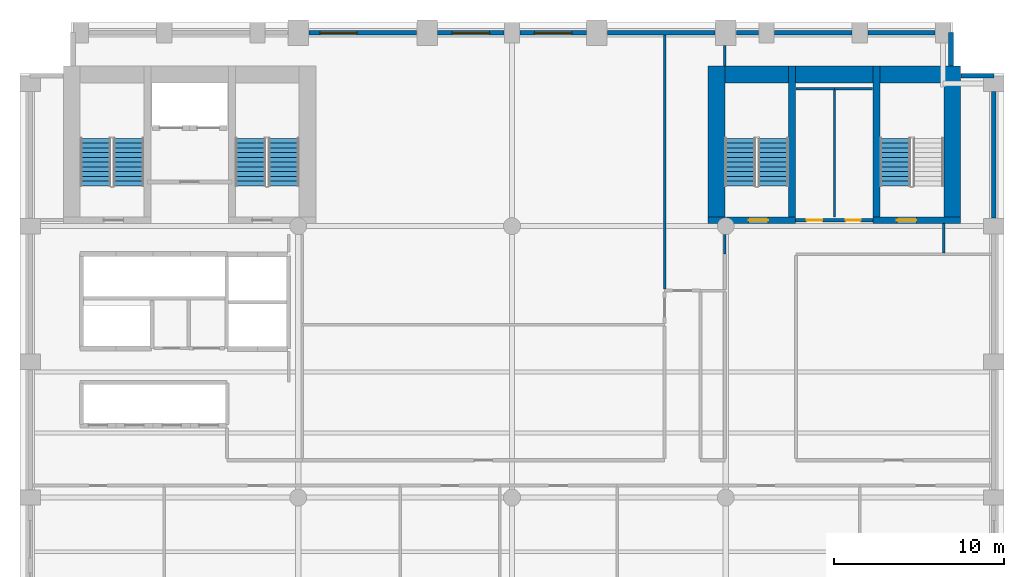
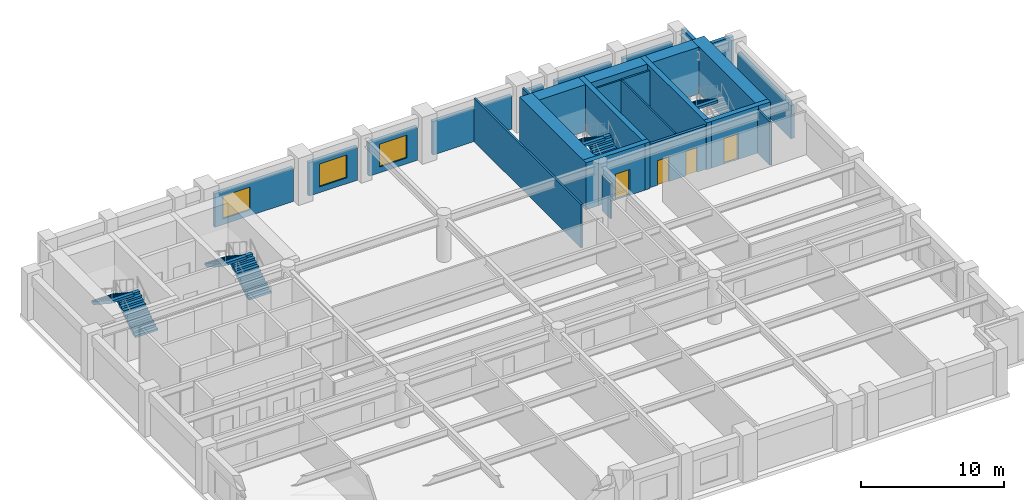
# One storey, part 5 of 9: 25 walls, 7 stair flights, 4 doors, 3 windows, 7 openings, 4 elements without a shape of their own.
"""IFC4 building model written with IfcOpenShell, lengths in metres."""

import ifcopenshell
import ifcopenshell.guid

model = None  # the IFC model being written
_history = None  # IfcOwnerHistory: only IFC2X3 demands one
_inside = {}  # id of a spatial element -> (the spatial element, [elements in it])
_under = {}  # id of a project, library or spatial element -> (it, [spatial elements below it])
_declared = {}  # id of a project -> (the project, [libraries it declares])
_typed = {}  # id of a type object -> (the type object, [elements of that type])
_made_of = {}  # id of a material, layer set ... -> (it, [elements and type objects made of it])


def new_model(schema):
    """Start an empty IFC model of exactly this schema.

    Asked for "IFC4X3", IfcOpenShell would pick the latest addendum, in which some entities
    have other attributes; the version numbers below select the first issue.
    IFC2X3 requires an IfcOwnerHistory on every rooted entity: one is made here for all.
    """
    global model, _history
    if schema == "IFC4X3":
        model = ifcopenshell.file(schema_version=(4, 3, 0, 0))
    else:
        model = ifcopenshell.file(schema=schema)
    _inside.clear()
    _under.clear()
    _declared.clear()
    _typed.clear()
    _made_of.clear()
    _history = None
    if model.schema == "IFC2X3":
        org = make("IfcOrganization", Name="unknown")
        user = make(
            "IfcPersonAndOrganization",
            ThePerson=make("IfcPerson", FamilyName="unknown"),
            TheOrganization=org,
        )
        app = make(
            "IfcApplication",
            ApplicationDeveloper=org,
            Version="unknown",
            ApplicationFullName="unknown",
            ApplicationIdentifier="unknown",
        )
        _history = make(
            "IfcOwnerHistory",
            OwningUser=user,
            OwningApplication=app,
            ChangeAction="ADDED",
            CreationDate=0,
        )
    return model


def make(cls, **values):
    """One entity of the class cls with the attributes given. An attribute that is None is left unset."""
    return model.create_entity(
        cls, **{name: value for name, value in values.items() if value is not None}
    )


def rooted(cls, **values):
    """An entity with a GlobalId (a new one), such as an element, a storey or a relation."""
    return make(cls, GlobalId=ifcopenshell.guid.new(), OwnerHistory=_history, **values)


def si_unit(unit_type, name, prefix=None):
    """IfcSIUnit, for example si_unit("LENGTHUNIT", "METRE", prefix="MILLI")."""
    return make("IfcSIUnit", UnitType=unit_type, Prefix=prefix, Name=name)


def assignment(units):
    """IfcUnitAssignment: the units of a project."""
    return None if units is None else make("IfcUnitAssignment", Units=units)


def point(xyz):
    """IfcCartesianPoint."""
    return None if xyz is None else make("IfcCartesianPoint", Coordinates=xyz)


def direction(xyz):
    """IfcDirection."""
    return None if xyz is None else make("IfcDirection", DirectionRatios=xyz)


def frame(location, z_axis=None, x_axis=None):
    """IfcAxis2Placement3D, a coordinate frame: its origin and axes. An axis left out is left unset."""
    return make(
        "IfcAxis2Placement3D",
        Location=point(location),
        Axis=direction(z_axis),
        RefDirection=direction(x_axis),
    )


def frame_2d(location, x_axis=None):
    """IfcAxis2Placement2D, a coordinate frame in the plane: its origin and x axis."""
    return make(
        "IfcAxis2Placement2D", Location=point(location), RefDirection=direction(x_axis)
    )


def origin():
    """The frame at (0, 0, 0) with its axes left unset."""
    return frame((0.0, 0.0, 0.0))


def place(relative_to, where):
    """IfcLocalPlacement: puts the frame where relative to a parent placement (None: the world)."""
    return make(
        "IfcLocalPlacement", PlacementRelTo=relative_to, RelativePlacement=where
    )


def context(
    kind, dimensions, precision=None, world=None, true_north=None, identifier=None
):
    """IfcGeometricRepresentationContext, for example the 3D "Model" context."""
    return make(
        "IfcGeometricRepresentationContext",
        ContextIdentifier=identifier,
        ContextType=kind,
        CoordinateSpaceDimension=dimensions,
        Precision=precision,
        WorldCoordinateSystem=world,
        TrueNorth=true_north,
    )


def subcontext(parent, identifier, kind, view, scale=None):
    """IfcGeometricRepresentationSubContext, for example "Body" below "Model"."""
    return make(
        "IfcGeometricRepresentationSubContext",
        ContextIdentifier=identifier,
        ContextType=kind,
        ParentContext=parent,
        TargetScale=scale,
        TargetView=view,
    )


def project(units=None, contexts=None):
    """IfcProject with its units and contexts."""
    return rooted(
        "IfcProject",
        Name="project",
        RepresentationContexts=contexts,
        UnitsInContext=assignment(units),
    )


def spatial(cls, under=None, at=None, **own):
    """A site, building, storey or space (cls), placed at a placement, below another one or the project."""
    s = rooted(cls, ObjectPlacement=at, **own)
    if under is not None:
        _under.setdefault(under.id(), (under, []))[1].append(s)
    return s


def polyline(points):
    """IfcPolyline through the points."""
    return make("IfcPolyline", Points=[point(p) for p in points])


def profile(cls, at=None, kind="AREA", **sizes):
    """A parametric profile (cls). Its sizes go by their IFC names, for example OverallWidth=200.0."""
    return make(cls, ProfileType=kind, Position=at, **sizes)


def rectangle(**sizes):
    """IfcRectangleProfileDef."""
    return profile("IfcRectangleProfileDef", **sizes)


def outline(outer, holes=None, kind="AREA"):
    """IfcArbitraryClosedProfileDef: a profile drawn as a closed curve; with holes, ...WithVoids."""
    if holes is None:
        return make("IfcArbitraryClosedProfileDef", ProfileType=kind, OuterCurve=outer)
    return make(
        "IfcArbitraryProfileDefWithVoids",
        ProfileType=kind,
        OuterCurve=outer,
        InnerCurves=holes,
    )


def extrude(swept, where, along, depth):
    """IfcExtrudedAreaSolid: the profile swept, set in the frame where, extruded along a direction by depth."""
    return make(
        "IfcExtrudedAreaSolid",
        SweptArea=swept,
        Position=where,
        ExtrudedDirection=direction(along),
        Depth=depth,
    )


def shape(context_of_items, identifier, shape_type, items):
    """IfcShapeRepresentation: the items that make up one representation, for example the "Body"."""
    return make(
        "IfcShapeRepresentation",
        ContextOfItems=context_of_items,
        RepresentationIdentifier=identifier,
        RepresentationType=shape_type,
        Items=items,
    )


def material(Name=None, Category=None):
    """IfcMaterial."""
    return make("IfcMaterial", Name=Name, Category=Category)


def layer(
    of_material, thickness, ventilated=None, Name=None, Category=None, Priority=None
):
    """IfcMaterialLayer: one layer of a wall or slab, of a material (None: an air gap)."""
    return make(
        "IfcMaterialLayer",
        Material=of_material,
        LayerThickness=thickness,
        IsVentilated=ventilated,
        Name=Name,
        Category=Category,
        Priority=Priority,
    )


def layer_set(layers, Name=None):
    """IfcMaterialLayerSet."""
    return make("IfcMaterialLayerSet", MaterialLayers=layers, LayerSetName=Name)


def made_of(thing, what):
    """Note that an element or type object is made of a material, layer set ...; save() writes the relation."""
    if what is not None:
        _made_of.setdefault(what.id(), (what, []))[1].append(thing)
    return thing


def type_object(cls, material=None, **own):
    """A type object (cls), such as IfcWallType, which elements share."""
    return made_of(rooted(cls, **own), material)


def element(
    cls,
    number,
    at=None,
    inside=None,
    cuts=None,
    type_object=None,
    material=None,
    context=None,
    identifier="Body",
    shape_type=None,
    held_by="IfcProductDefinitionShape",
    body=None,
    shapes=None,
    **own,
):
    """One element of the class cls, such as IfcWall. Its Tag is "e" and its number.

    at: its placement. inside: the storey or other place that contains it. cuts: it is an
    opening in that element (IfcRelVoidsElement). A single representation is given by context,
    identifier, shape_type and body (its items); several are given by shapes. held_by: the class
    of the entity that holds the representations. save() writes the other relations.
    """
    e = rooted(cls, Tag="e%d" % number, ObjectPlacement=at, **own)
    if body is not None:
        shapes = [shape(context, identifier, shape_type, body)]
    if shapes is not None:
        e.Representation = make(held_by, Representations=shapes)
    if inside is not None:
        _inside.setdefault(inside.id(), (inside, []))[1].append(e)
    if cuts is not None:
        rooted(
            "IfcRelVoidsElement", RelatingBuildingElement=cuts, RelatedOpeningElement=e
        )
    if type_object is not None:
        _typed.setdefault(type_object.id(), (type_object, []))[1].append(e)
    return made_of(e, material)


def fill(opening, filler):
    """IfcRelFillsElement: the door or window that sits in an opening."""
    return rooted(
        "IfcRelFillsElement",
        RelatingOpeningElement=opening,
        RelatedBuildingElement=filler,
    )


def aggregate(whole, parts):
    """IfcRelAggregates: a whole, such as a stair, and the parts it consists of."""
    return rooted("IfcRelAggregates", RelatingObject=whole, RelatedObjects=parts)


def save(model, path):
    """Write the relations noted so far, then the file.

    IfcRelAggregates (storeys below a building ...), IfcRelContainedInSpatialStructure (elements
    in a storey), IfcRelDefinesByType, IfcRelAssociatesMaterial and IfcRelDeclares: one each for
    every whole, place, type object, material and project.
    """
    for whole, parts in _under.values():
        aggregate(whole, parts)
    for where, things in _inside.values():
        rooted(
            "IfcRelContainedInSpatialStructure",
            RelatedElements=things,
            RelatingStructure=where,
        )
    for kind, things in _typed.values():
        rooted("IfcRelDefinesByType", RelatedObjects=things, RelatingType=kind)
    for what, things in _made_of.values():
        rooted("IfcRelAssociatesMaterial", RelatedObjects=things, RelatingMaterial=what)
    for by, libraries in _declared.values():
        rooted("IfcRelDeclares", RelatingContext=by, RelatedDefinitions=libraries)
    model.write(path)


model = new_model("IFC4")

# Units and contexts
model_context = context("Model", 3, precision=1e-05, world=origin(), true_north=direction((0.0, 1.0)))
body_context = subcontext(model_context, "Body", "Model", "MODEL_VIEW")
ifc_project = project(units=[si_unit("LENGTHUNIT", "METRE"), si_unit("AREAUNIT", "SQUARE_METRE"), si_unit("VOLUMEUNIT", "CUBIC_METRE"), si_unit("PLANEANGLEUNIT", "RADIAN"), si_unit("MASSUNIT", "GRAM", prefix="KILO")], contexts=[model_context])

# Site, building, storey
site_placement = place(None, origin())
site = spatial("IfcSite", under=ifc_project, at=site_placement, CompositionType="ELEMENT")
building_placement = place(site_placement, origin())
building = spatial("IfcBuilding", under=site, at=building_placement, Name="Sulina Concourse Tower", CompositionType="ELEMENT")
storey_placement = place(building_placement, frame((0.0, 0.0, 66.60009765625)))
storey = spatial("IfcBuildingStorey", under=building, at=storey_placement, Name="L16", CompositionType="ELEMENT", Elevation=66.60009765625)

# Wall, openings, doors
ifc_material_1 = material(Name="Gypsum board on steel stud", Category="steel")
ifc_layer_1 = layer(ifc_material_1, 0.219970703125)
ifc_layer_set_1 = layer_set([ifc_layer_1], Name="Gypsum board on steel stud")
wall_type_1 = type_object("IfcWallType", Name="Fire-Rated Lobby & Compartment Wall 220mm", PredefinedType="PARTITIONING", material=ifc_layer_set_1)
wall_1_placement = place(storey_placement, frame((45.719970703125, 34.35009765625, 0.0), z_axis=(0.0, 0.0, 1.0), x_axis=(1.0, 0.0, 0.0)))
wall_1 = element("IfcWall", 1, at=wall_1_placement, inside=storey, type_object=wall_type_1, Name="L16 east core south lobby wall", PredefinedType="PARTITIONING", context=body_context, shape_type="SweptSolid", body=[
    extrude(rectangle(XDim=4.56005859375, YDim=0.219970703125, at=frame_2d((2.280029296875, 0.0))), origin(), (0.0, 0.0, 1.0), 3.699951171875),
])
opening_1_placement = place(wall_1_placement, frame((0.64990234375, 0.0, 0.0)))
opening_1 = element("IfcOpeningElement", 2, at=opening_1_placement, cuts=wall_1, Name="Opening DR-61", PredefinedType="OPENING", context=body_context, shape_type="SweptSolid", body=[
    extrude(rectangle(XDim=0.919921875, YDim=2.10009765625, at=frame_2d((0.4599609375, 1.050048828125))), frame((0.0, 0.119873046875, 0.0), z_axis=(0.0, -1.0, 0.0), x_axis=(1.0, 0.0, 0.0)), (0.0, 0.0, 1.0), 0.239990234375),
])
opening_2_placement = place(wall_1_placement, frame((2.949951171875, 0.0, 0.0)))
opening_2 = element("IfcOpeningElement", 3, at=opening_2_placement, cuts=wall_1, Name="Opening DR-38", PredefinedType="OPENING", context=body_context, shape_type="SweptSolid", body=[
    extrude(rectangle(XDim=0.8798828125, YDim=2.10009765625, at=frame_2d((0.43994140625, 1.050048828125))), frame((0.0, 0.119873046875, 0.0), z_axis=(0.0, -1.0, 0.0), x_axis=(1.0, 0.0, 0.0)), (0.0, 0.0, 1.0), 0.239990234375),
])
ifc_material_2 = material(Name="Oak-veneered fire door leaf")
ifc_layer_2 = layer(ifc_material_2, 0.050048828125)
ifc_layer_set_2 = layer_set([ifc_layer_2], Name="Oak-veneered fire door leaf")
door_type_1 = type_object("IfcDoorType", Name="Accessible WC Door 920x2100", OperationType="NOTDEFINED", PredefinedType="DOOR", material=ifc_layer_set_2)
door_1_placement = place(opening_1_placement, origin())
door_1 = element("IfcDoor", 4, at=door_1_placement, inside=storey, type_object=door_type_1, Name="L16 east core accessible wc door", OperationType="SINGLE_SWING_LEFT", OverallHeight=2.10009765625, OverallWidth=0.919921875, PredefinedType="DOOR", context=body_context, shape_type="SweptSolid", body=[
    extrude(rectangle(XDim=0.919921875, YDim=2.10009765625, at=frame_2d((0.4599609375, 1.050048828125))), frame((0.0, 0.02490234375, 0.0), z_axis=(0.0, -1.0, 0.0), x_axis=(1.0, 0.0, 0.0)), (0.0, 0.0, 1.0), 0.050048828125),
])
fill(opening_1, door_1)
ifc_material_3 = material(Name="Galvanised steel acoustic fire leaf", Category="steel")
ifc_layer_3 = layer(ifc_material_3, 0.050048828125)
ifc_layer_set_3 = layer_set([ifc_layer_3], Name="Galvanised steel acoustic fire leaf")
door_type_2 = type_object("IfcDoorType", Name="Service Riser Fire Door 880x2100", OperationType="NOTDEFINED", PredefinedType="DOOR", material=ifc_layer_set_3)
door_2_placement = place(opening_2_placement, origin())
door_2 = element("IfcDoor", 5, at=door_2_placement, inside=storey, type_object=door_type_2, Name="L16 east core store door", OperationType="SINGLE_SWING_RIGHT", OverallHeight=2.10009765625, OverallWidth=0.8798828125, PredefinedType="DOOR", context=body_context, shape_type="SweptSolid", body=[
    extrude(rectangle(XDim=0.8798828125, YDim=2.10009765625, at=frame_2d((0.43994140625, 1.050048828125))), frame((0.0, 0.02490234375, 0.0), z_axis=(0.0, -1.0, 0.0), x_axis=(1.0, 0.0, 0.0)), (0.0, 0.0, 1.0), 0.050048828125),
])
fill(opening_2, door_2)

# Walls
ifc_material_4 = material(Name="Gypsum board on steel stud", Category="steel")
ifc_layer_4 = layer(ifc_material_4, 0.14990234375)
ifc_layer_set_4 = layer_set([ifc_layer_4], Name="Gypsum board on steel stud")
wall_type_2 = type_object("IfcWallType", Name="Inter-Tenancy Acoustic Partition 150mm", PredefinedType="PARTITIONING", material=ifc_layer_set_4)
wall_2_placement = place(storey_placement, frame((48.0, 42.10009765625, 0.0), z_axis=(0.0, 0.0, 1.0), x_axis=(1.0, 0.0, 0.0)))
element("IfcWall", 6, at=wall_2_placement, inside=storey, type_object=wall_type_2, Name="L16 interior partition 020", PredefinedType="PARTITIONING", context=body_context, shape_type="SweptSolid", body=[
    extrude(rectangle(XDim=2.25, YDim=0.14990234375, at=frame_2d((1.125, 0.0))), origin(), (0.0, 0.0, 1.0), 3.699951171875),
])
wall_3_placement = place(storey_placement, frame((38.0, 30.2900390625, 0.0), z_axis=(0.0, 0.0, 1.0), x_axis=(0.0, 1.0, 0.0)))
element("IfcWall", 7, at=wall_3_placement, inside=storey, type_object=wall_type_2, Name="L16 interior partition 033", PredefinedType="PARTITIONING", context=body_context, shape_type="SweptSolid", body=[
    extrude(rectangle(XDim=14.969970703125, YDim=0.14990234375, at=frame_2d((7.48486328125, 0.0))), origin(), (0.0, 0.0, 1.0), 3.699951171875),
])
wall_4_placement = place(storey_placement, frame((41.550048828125, 32.35009765625, 0.0), z_axis=(0.0, 0.0, 1.0), x_axis=(0.0, 1.0, 0.0)))
element("IfcWall", 8, at=wall_4_placement, inside=storey, type_object=wall_type_2, Name="L16 interior partition 037", PredefinedType="PARTITIONING", context=body_context, shape_type="SweptSolid", body=[
    extrude(rectangle(XDim=1.14990234375, YDim=0.14990234375, at=frame_2d((0.574951171875, 0.0))), origin(), (0.0, 0.0, 1.0), 2.994873046875),
])
wall_5_placement = place(storey_placement, frame((41.550048828125, 43.429931640625, 0.0), z_axis=(0.0, 0.0, 1.0), x_axis=(0.0, 1.0, 0.0)))
element("IfcWall", 9, at=wall_5_placement, inside=storey, type_object=wall_type_2, Name="L16 interior partition 038", PredefinedType="PARTITIONING", context=body_context, shape_type="SweptSolid", body=[
    extrude(rectangle(XDim=1.219970703125, YDim=0.14990234375, at=frame_2d((0.60986328125, 0.0))), origin(), (0.0, 0.0, 1.0), 3.699951171875),
])
wall_6_placement = place(storey_placement, frame((54.449951171875, 32.425048828125, 0.0), z_axis=(0.0, 0.0, 1.0), x_axis=(0.0, 1.0, 0.0)))
element("IfcWall", 10, at=wall_6_placement, inside=storey, type_object=wall_type_2, Name="L16 interior partition 042", PredefinedType="PARTITIONING", context=body_context, shape_type="SweptSolid", body=[
    extrude(rectangle(XDim=1.724853515625, YDim=0.14990234375, at=frame_2d((0.8623046875, 0.0))), origin(), (0.0, 0.0, 1.0), 3.699951171875),
])

# Wall, opening, door
ifc_material_5 = material(Name="Concrete C60/75", Category="concrete")
ifc_layer_5 = layer(ifc_material_5, 0.39990234375)
ifc_layer_set_5 = layer_set([ifc_layer_5], Name="Concrete C60/75")
wall_type_3 = type_object("IfcWallType", Name="Protected Stair Core Shear Wall 400mm", PredefinedType="SHEAR", material=ifc_layer_set_5)
wall_7_placement = place(storey_placement, frame((40.550048828125, 34.35009765625, 0.0), z_axis=(0.0, 0.0, 1.0), x_axis=(1.0, 0.0, 0.0)))
wall_7 = element("IfcWall", 11, at=wall_7_placement, inside=storey, type_object=wall_type_3, Name="L16 east core shear wall CW-ES1", PredefinedType="SHEAR", context=body_context, shape_type="SweptSolid", body=[
    extrude(rectangle(XDim=5.159912109375, YDim=0.39990234375, at=frame_2d((2.580078125, 0.0))), origin(), (0.0, 0.0, 1.0), 4.0),
])
opening_3_placement = place(wall_7_placement, frame((2.39990234375, 0.0, 0.0)))
opening_3 = element("IfcOpeningElement", 12, at=opening_3_placement, cuts=wall_7, Name="Opening DR-60", PredefinedType="OPENING", context=body_context, shape_type="SweptSolid", body=[
    extrude(rectangle(XDim=1.14990234375, YDim=2.199951171875, at=frame_2d((0.574951171875, 1.10009765625))), frame((0.0, 0.2099609375, 0.0), z_axis=(0.0, -1.0, 0.0), x_axis=(1.0, 0.0, 0.0)), (0.0, 0.0, 1.0), 0.419921875),
])
ifc_material_6 = material(Name="Galvanised steel acoustic fire leaf", Category="steel")
ifc_layer_6 = layer(ifc_material_6, 0.054931640625)
ifc_layer_set_6 = layer_set([ifc_layer_6], Name="Galvanised steel acoustic fire leaf")
door_type_3 = type_object("IfcDoorType", Name="Protected Exit Stair Fire Door 1150x2200", OperationType="NOTDEFINED", PredefinedType="DOOR", material=ifc_layer_set_6)
door_3_placement = place(opening_3_placement, origin())
door_3 = element("IfcDoor", 13, at=door_3_placement, inside=storey, type_object=door_type_3, Name="L16 stair ST-3 south lobby fire door", OperationType="SINGLE_SWING_RIGHT", OverallHeight=2.199951171875, OverallWidth=1.14990234375, PredefinedType="DOOR", context=body_context, shape_type="SweptSolid", body=[
    extrude(rectangle(XDim=1.14990234375, YDim=2.199951171875, at=frame_2d((0.574951171875, 1.10009765625))), frame((0.0, 0.02490234375, 0.0), z_axis=(0.0, -1.0, 0.0), x_axis=(1.0, 0.0, 0.0)), (0.0, 0.0, 1.0), 0.050048828125),
])
fill(opening_3, door_3)

# Wall
wall_8_placement = place(storey_placement, frame((45.510009765625, 34.14990234375, 0.0), z_axis=(0.0, 0.0, 1.0), x_axis=(0.0, 1.0, 0.0)))
element("IfcWall", 14, at=wall_8_placement, inside=storey, type_object=wall_type_3, Name="L16 east core shear wall SW-ST3", PredefinedType="SHEAR", context=body_context, shape_type="SweptSolid", body=[
    extrude(rectangle(XDim=9.280029296875, YDim=0.39990234375, at=frame_2d((4.64013671875, 0.0))), origin(), (0.0, 0.0, 1.0), 4.0),
])

# Wall, opening, door
wall_9_placement = place(storey_placement, frame((50.2900390625, 34.35009765625, 0.0), z_axis=(0.0, 0.0, 1.0), x_axis=(1.0, 0.0, 0.0)))
wall_9 = element("IfcWall", 15, at=wall_9_placement, inside=storey, type_object=wall_type_3, Name="L16 east core shear wall CW-ES2", PredefinedType="SHEAR", context=body_context, shape_type="SweptSolid", body=[
    extrude(rectangle(XDim=5.159912109375, YDim=0.39990234375, at=frame_2d((2.580078125, 0.0))), origin(), (0.0, 0.0, 1.0), 4.0),
])
opening_4_placement = place(wall_9_placement, frame((1.39990234375, 0.0, 0.0)))
opening_4 = element("IfcOpeningElement", 16, at=opening_4_placement, cuts=wall_9, Name="Opening DR-60", PredefinedType="OPENING", context=body_context, shape_type="SweptSolid", body=[
    extrude(rectangle(XDim=1.14990234375, YDim=2.199951171875, at=frame_2d((0.574951171875, 1.10009765625))), frame((0.0, 0.2099609375, 0.0), z_axis=(0.0, -1.0, 0.0), x_axis=(1.0, 0.0, 0.0)), (0.0, 0.0, 1.0), 0.419921875),
])
door_4_placement = place(opening_4_placement, origin())
door_4 = element("IfcDoor", 17, at=door_4_placement, inside=storey, type_object=door_type_3, Name="L16 stair ST-4 south lobby fire door", OperationType="SINGLE_SWING_LEFT", OverallHeight=2.199951171875, OverallWidth=1.14990234375, PredefinedType="DOOR", context=body_context, shape_type="SweptSolid", body=[
    extrude(rectangle(XDim=1.14990234375, YDim=2.199951171875, at=frame_2d((0.574951171875, 1.10009765625))), frame((0.0, 0.02490234375, 0.0), z_axis=(0.0, -1.0, 0.0), x_axis=(1.0, 0.0, 0.0)), (0.0, 0.0, 1.0), 0.050048828125),
])
fill(opening_4, door_4)

# Walls
wall_10_placement = place(storey_placement, frame((50.489990234375, 34.14990234375, 0.0), z_axis=(0.0, 0.0, 1.0), x_axis=(0.0, 1.0, 0.0)))
element("IfcWall", 18, at=wall_10_placement, inside=storey, type_object=wall_type_3, Name="L16 east core shear wall SW-ST4", PredefinedType="SHEAR", context=body_context, shape_type="SweptSolid", body=[
    extrude(rectangle(XDim=9.280029296875, YDim=0.39990234375, at=frame_2d((4.64013671875, 0.0))), origin(), (0.0, 0.0, 1.0), 4.0),
])
ifc_material_7 = material(Name="Concrete C80/95", Category="concrete")
ifc_layer_7 = layer(ifc_material_7, 1.0)
ifc_layer_set_7 = layer_set([ifc_layer_7], Name="Concrete C80/95")
wall_type_4 = type_object("IfcWallType", Name="Rear Core Shear Wall 1000mm", PredefinedType="SHEAR", material=ifc_layer_set_7)
wall_11_placement = place(storey_placement, frame((40.550048828125, 42.929931640625, 0.0), z_axis=(0.0, 0.0, 1.0), x_axis=(1.0, 0.0, 0.0)))
element("IfcWall", 19, at=wall_11_placement, inside=storey, type_object=wall_type_4, Name="L16 east core shear wall CW-EN", PredefinedType="SHEAR", context=body_context, shape_type="SweptSolid", body=[
    extrude(rectangle(XDim=14.89990234375, YDim=1.0, at=frame_2d((7.449951171875, 0.0))), origin(), (0.0, 0.0, 1.0), 4.0),
])
for number, where, z_axis, x_axis, name in (
    (20, (41.050048828125, 34.14990234375, 0.0), (0.0, 0.0, 1.0), (0.0, 1.0, 0.0), "L16 east core shear wall CW-EW"),
    (21, (54.949951171875, 34.14990234375, 0.0), (0.0, 0.0, 1.0), (0.0, 1.0, 0.0), "L16 east core shear wall CW-EE"),
):
    element("IfcWall", number, at=place(storey_placement, frame(where, z_axis=z_axis, x_axis=x_axis)), inside=storey, type_object=wall_type_4, Name=name, PredefinedType="SHEAR", context=body_context, shape_type="SweptSolid", body=[
        extrude(rectangle(XDim=9.280029296875, YDim=1.0, at=frame_2d((4.64013671875, 0.0))), origin(), (0.0, 0.0, 1.0), 4.0),
    ])

# Wall, opening, window
ifc_material_8 = material(Name="Precast concrete C50/60", Category="concrete")
ifc_layer_8 = layer(ifc_material_8, 0.280029296875)
ifc_layer_set_8 = layer_set([ifc_layer_8], Name="Precast concrete C50/60")
wall_type_5 = type_object("IfcWallType", Name="Typical Precast Masonry-Frame Facade Wall 280mm", PredefinedType="SOLIDWALL", material=ifc_layer_set_8)
wall_12_placement = place(storey_placement, frame((17.02001953125, 45.39990234375, 0.0), z_axis=(0.0, 0.0, 1.0), x_axis=(1.0, 0.0, 0.0)))
wall_12 = element("IfcWall", 22, at=wall_12_placement, inside=storey, type_object=wall_type_5, Name="L16 exterior precast wall N4", PredefinedType="SOLIDWALL", context=body_context, shape_type="SweptSolid", body=[
    extrude(rectangle(XDim=6.35986328125, YDim=0.280029296875, at=frame_2d((3.179931640625, 0.0))), origin(), (0.0, 0.0, 1.0), 2.849853515625),
])
opening_5_placement = place(wall_12_placement, frame((0.6533203125, 0.0, 0.5)))
opening_5 = element("IfcOpeningElement", 23, at=opening_5_placement, cuts=wall_12, Name="Opening WN-76", PredefinedType="OPENING", context=body_context, shape_type="SweptSolid", body=[
    extrude(rectangle(XDim=2.199951171875, YDim=1.949951171875, at=frame_2d((1.10009765625, 0.97509765625))), frame((0.0, 0.14990234375, 0.0), z_axis=(0.0, -1.0, 0.0), x_axis=(1.0, 0.0, 0.0)), (0.0, 0.0, 1.0), 0.300048828125),
])
ifc_material_9 = material(Name="Low-E solar double glazing in bronze aluminium", Category="aluminium")
window_type = type_object("IfcWindowType", Name="Recessed Spandrel Window 2200x1950", PartitioningType="DOUBLE_PANEL_VERTICAL", PredefinedType="WINDOW", material=ifc_material_9)
window_1_placement = place(opening_5_placement, origin())
window_1 = element("IfcWindow", 24, at=window_1_placement, inside=storey, type_object=window_type, Name="L16 punched window N4-1", OverallHeight=1.949951171875, OverallWidth=2.199951171875, PartitioningType="SINGLE_PANEL", PredefinedType="WINDOW", context=body_context, shape_type="SweptSolid", body=[
    extrude(rectangle(XDim=2.199951171875, YDim=1.949951171875, at=frame_2d((1.10009765625, 0.97509765625))), frame((0.0, 0.030029296875, 0.0), z_axis=(0.0, -1.0, 0.0), x_axis=(1.0, 0.0, 0.0)), (0.0, 0.0, 1.0), 0.06005859375),
])
fill(opening_5, window_1)

wall_13_placement = place(storey_placement, frame((24.6201171875, 45.39990234375, 0.0), z_axis=(0.0, 0.0, 1.0), x_axis=(1.0, 0.0, 0.0)))
wall_13 = element("IfcWall", 25, at=wall_13_placement, inside=storey, type_object=wall_type_5, Name="L16 exterior precast wall N5", PredefinedType="SOLIDWALL", context=body_context, shape_type="SweptSolid", body=[
    extrude(rectangle(XDim=3.909912109375, YDim=0.280029296875, at=frame_2d((1.955078125, 0.0))), origin(), (0.0, 0.0, 1.0), 2.849853515625),
])
opening_6_placement = place(wall_13_placement, frame((0.85498046875, 0.0, 0.5)))
opening_6 = element("IfcOpeningElement", 26, at=opening_6_placement, cuts=wall_13, Name="Opening WN-76", PredefinedType="OPENING", context=body_context, shape_type="SweptSolid", body=[
    extrude(rectangle(XDim=2.199951171875, YDim=1.949951171875, at=frame_2d((1.10009765625, 0.97509765625))), frame((0.0, 0.14990234375, 0.0), z_axis=(0.0, -1.0, 0.0), x_axis=(1.0, 0.0, 0.0)), (0.0, 0.0, 1.0), 0.300048828125),
])
window_2_placement = place(opening_6_placement, origin())
window_2 = element("IfcWindow", 27, at=window_2_placement, inside=storey, type_object=window_type, Name="L16 punched window N5-1", OverallHeight=1.949951171875, OverallWidth=2.199951171875, PartitioningType="SINGLE_PANEL", PredefinedType="WINDOW", context=body_context, shape_type="SweptSolid", body=[
    extrude(rectangle(XDim=2.199951171875, YDim=1.949951171875, at=frame_2d((1.10009765625, 0.97509765625))), frame((0.0, 0.030029296875, 0.0), z_axis=(0.0, -1.0, 0.0), x_axis=(1.0, 0.0, 0.0)), (0.0, 0.0, 1.0), 0.06005859375),
])
fill(opening_6, window_2)

wall_14_placement = place(storey_placement, frame((29.469970703125, 45.39990234375, 0.0), z_axis=(0.0, 0.0, 1.0), x_axis=(1.0, 0.0, 0.0)))
wall_14 = element("IfcWall", 28, at=wall_14_placement, inside=storey, type_object=wall_type_5, Name="L16 exterior precast wall N6", PredefinedType="SOLIDWALL", context=body_context, shape_type="SweptSolid", body=[
    extrude(rectangle(XDim=3.909912109375, YDim=0.280029296875, at=frame_2d((1.955078125, 0.0))), origin(), (0.0, 0.0, 1.0), 2.849853515625),
])
opening_7_placement = place(wall_14_placement, frame((0.85498046875, 0.0, 0.5)))
opening_7 = element("IfcOpeningElement", 29, at=opening_7_placement, cuts=wall_14, Name="Opening WN-76", PredefinedType="OPENING", context=body_context, shape_type="SweptSolid", body=[
    extrude(rectangle(XDim=2.199951171875, YDim=1.949951171875, at=frame_2d((1.10009765625, 0.97509765625))), frame((0.0, 0.14990234375, 0.0), z_axis=(0.0, -1.0, 0.0), x_axis=(1.0, 0.0, 0.0)), (0.0, 0.0, 1.0), 0.300048828125),
])
window_3_placement = place(opening_7_placement, origin())
window_3 = element("IfcWindow", 30, at=window_3_placement, inside=storey, type_object=window_type, Name="L16 punched window N6-1", OverallHeight=1.949951171875, OverallWidth=2.199951171875, PartitioningType="SINGLE_PANEL", PredefinedType="WINDOW", context=body_context, shape_type="SweptSolid", body=[
    extrude(rectangle(XDim=2.199951171875, YDim=1.949951171875, at=frame_2d((1.10009765625, 0.97509765625))), frame((0.0, 0.030029296875, 0.0), z_axis=(0.0, -1.0, 0.0), x_axis=(1.0, 0.0, 0.0)), (0.0, 0.0, 1.0), 0.06005859375),
])
fill(opening_7, window_3)

# Walls
wall_15_placement = place(storey_placement, frame((34.6201171875, 45.39990234375, 0.0), z_axis=(0.0, 0.0, 1.0), x_axis=(1.0, 0.0, 0.0)))
element("IfcWall", 31, at=wall_15_placement, inside=storey, type_object=wall_type_5, Name="L16 exterior precast wall N7", PredefinedType="SOLIDWALL", context=body_context, shape_type="SweptSolid", body=[
    extrude(rectangle(XDim=6.35986328125, YDim=0.280029296875, at=frame_2d((3.179931640625, 0.0))), origin(), (0.0, 0.0, 1.0), 2.849853515625),
])
wall_16_placement = place(storey_placement, frame((42.219970703125, 45.39990234375, 0.0), z_axis=(0.0, 0.0, 1.0), x_axis=(1.0, 0.0, 0.0)))
element("IfcWall", 32, at=wall_16_placement, inside=storey, type_object=wall_type_5, Name="L16 exterior precast wall N8", PredefinedType="SOLIDWALL", context=body_context, shape_type="SweptSolid", body=[
    extrude(rectangle(XDim=1.31005859375, YDim=0.280029296875, at=frame_2d((0.655029296875, 0.0))), origin(), (0.0, 0.0, 1.0), 2.849853515625),
])
wall_17_placement = place(storey_placement, frame((44.469970703125, 45.39990234375, 0.0), z_axis=(0.0, 0.0, 1.0), x_axis=(1.0, 0.0, 0.0)))
element("IfcWall", 33, at=wall_17_placement, inside=storey, type_object=wall_type_5, Name="L16 exterior precast wall N9", PredefinedType="SOLIDWALL", context=body_context, shape_type="SweptSolid", body=[
    extrude(rectangle(XDim=4.56005859375, YDim=0.280029296875, at=frame_2d((2.280029296875, 0.0))), origin(), (0.0, 0.0, 1.0), 2.849853515625),
])
wall_18_placement = place(storey_placement, frame((49.969970703125, 45.39990234375, 0.0), z_axis=(0.0, 0.0, 1.0), x_axis=(1.0, 0.0, 0.0)))
element("IfcWall", 34, at=wall_18_placement, inside=storey, type_object=wall_type_5, Name="L16 exterior precast wall N10", PredefinedType="SOLIDWALL", context=body_context, shape_type="SweptSolid", body=[
    extrude(rectangle(XDim=3.9599609375, YDim=0.280029296875, at=frame_2d((1.97998046875, 0.0))), origin(), (0.0, 0.0, 1.0), 2.849853515625),
])
wall_19_placement = place(storey_placement, frame((57.39990234375, 41.929931640625, 0.0), z_axis=(0.0, 0.0, 1.0), x_axis=(0.0, -1.0, 0.0)))
element("IfcWall", 35, at=wall_19_placement, inside=storey, type_object=wall_type_5, Name="L16 exterior precast wall E5", PredefinedType="SOLIDWALL", context=body_context, shape_type="SweptSolid", body=[
    extrude(rectangle(XDim=7.4599609375, YDim=0.280029296875, at=frame_2d((3.72998046875, 0.0))), origin(), (0.0, 0.0, 1.0), 2.849853515625),
])
wall_20_placement = place(storey_placement, frame((54.8701171875, 45.39990234375, 0.0), z_axis=(0.0, 0.0, 1.0), x_axis=(0.0, -1.0, 0.0)))
element("IfcWall", 36, at=wall_20_placement, inside=storey, type_object=wall_type_5, Name="L16 exterior precast wall CNE1", PredefinedType="SOLIDWALL", context=body_context, shape_type="SweptSolid", body=[
    extrude(rectangle(XDim=1.96484375, YDim=0.280029296875, at=frame_2d((0.982421875, 0.0))), origin(), (0.0, 0.0, 1.0), 3.699951171875),
])
wall_21_placement = place(storey_placement, frame((55.455078125, 42.8701171875, 0.0), z_axis=(0.0, 0.0, 1.0), x_axis=(1.0, 0.0, 0.0)))
element("IfcWall", 37, at=wall_21_placement, inside=storey, type_object=wall_type_5, Name="L16 exterior precast wall CNE2", PredefinedType="SOLIDWALL", context=body_context, shape_type="SweptSolid", body=[
    extrude(rectangle(XDim=1.94482421875, YDim=0.280029296875, at=frame_2d((0.972412109375, 0.0))), origin(), (0.0, 0.0, 1.0), 3.699951171875),
])
ifc_material_10 = material(Name="Gypsum board on steel stud", Category="steel")
ifc_layer_9 = layer(ifc_material_10, 0.125)
ifc_layer_set_9 = layer_set([ifc_layer_9], Name="Gypsum board on steel stud")
wall_type_6 = type_object("IfcWallType", Name="Wet-Area Moisture-Resistant Partition 125mm", PredefinedType="PARTITIONING", material=ifc_layer_set_9)
wall_22_placement = place(storey_placement, frame((45.75, 42.10009765625, 0.0), z_axis=(0.0, 0.0, 1.0), x_axis=(1.0, 0.0, 0.0)))
element("IfcWall", 38, at=wall_22_placement, inside=storey, type_object=wall_type_6, Name="L16 interior partition 019", PredefinedType="PARTITIONING", context=body_context, shape_type="SweptSolid", body=[
    extrude(rectangle(XDim=2.25, YDim=0.125, at=frame_2d((1.125, 0.0))), origin(), (0.0, 0.0, 1.0), 3.699951171875),
])
wall_23_placement = place(storey_placement, frame((48.0, 34.550048828125, 0.0), z_axis=(0.0, 0.0, 1.0), x_axis=(0.0, 1.0, 0.0)))
element("IfcWall", 39, at=wall_23_placement, inside=storey, type_object=wall_type_6, Name="L16 interior partition 040", PredefinedType="PARTITIONING", context=body_context, shape_type="SweptSolid", body=[
    extrude(rectangle(XDim=7.474853515625, YDim=0.125, at=frame_2d((3.7373046875, 0.0))), origin(), (0.0, 0.0, 1.0), 3.699951171875),
])

# Stair, stair flights
ifc_material_11 = material(Name="Concrete C50/60", Category="concrete")
stair_type_1 = type_object("IfcStairType", Name="Portal & Podium Core Exit Stair 1820mm", PredefinedType="HALF_TURN_STAIR", material=ifc_material_11)
stair_1_placement = place(storey_placement, origin())
stair_1 = element("IfcStair", 40, at=stair_1_placement, inside=storey, type_object=stair_type_1, Name="L16 ST-3", PredefinedType="HALF_TURN_STAIR")
ifc_material_12 = material(Name="Concrete C50/60", Category="concrete")
stair_flight_type_1 = type_object("IfcStairFlightType", Name="Portal & Podium Core Exit Stair 1820mm Flight", PredefinedType="STRAIGHT", material=ifc_material_12)
stair_flight_1_placement = place(storey_placement, frame((44.405029296875, 36.375, 0.0), z_axis=(0.0, 0.0, 1.0), x_axis=(0.0, 1.0, 0.0)))
stair_flight_1 = element("IfcStairFlight", 41, at=stair_flight_1_placement, type_object=stair_flight_type_1, Name="ST-3 flight 1", NumberOfRisers=11, NumberOfTreads=10, PredefinedType="STRAIGHT", RiserHeight=0.181818182, TreadLength=0.28, context=body_context, shape_type="SweptSolid", body=[
    extrude(outline(polyline([(0.0, 0.0), (0.0, 0.181884765625), (0.280029296875, 0.181884765625), (0.280029296875, 0.363525390625), (0.56005859375, 0.363525390625), (0.56005859375, 0.54541015625), (0.840087890625, 0.54541015625), (0.840087890625, 0.727294921875), (1.1201171875, 0.727294921875), (1.1201171875, 0.9091796875), (1.39990234375, 0.9091796875), (1.39990234375, 1.0908203125), (1.679931640625, 1.0908203125), (1.679931640625, 1.272705078125), (1.9599609375, 1.272705078125), (1.9599609375, 1.45458984375), (2.239990234375, 1.45458984375), (2.239990234375, 1.636474609375), (2.52001953125, 1.636474609375), (2.52001953125, 1.818115234375), (2.800048828125, 1.818115234375), (2.800048828125, 2.0), (2.800048828125, 1.603759765625), (0.330322265625, 0.0), (0.0, 0.0)])), frame((0.0, 0.89990234375, 0.0), z_axis=(0.0, -1.0, 0.0), x_axis=(1.0, 0.0, 0.0)), (0.0, 0.0, 1.0), 1.800048828125),
])
stair_flight_2_placement = place(storey_placement, frame((42.455078125, 39.175048828125, 2.0), z_axis=(0.0, 0.0, 1.0), x_axis=(0.0, -1.0, 0.0)))
stair_flight_2 = element("IfcStairFlight", 42, at=stair_flight_2_placement, type_object=stair_flight_type_1, Name="ST-3 flight 2", NumberOfRisers=11, NumberOfTreads=10, PredefinedType="STRAIGHT", RiserHeight=0.181818182, TreadLength=0.28, context=body_context, shape_type="SweptSolid", body=[
    extrude(outline(polyline([(0.0, 0.0), (0.0, 0.181884765625), (0.280029296875, 0.181884765625), (0.280029296875, 0.363525390625), (0.56005859375, 0.363525390625), (0.56005859375, 0.54541015625), (0.840087890625, 0.54541015625), (0.840087890625, 0.727294921875), (1.1201171875, 0.727294921875), (1.1201171875, 0.9091796875), (1.39990234375, 0.9091796875), (1.39990234375, 1.0908203125), (1.679931640625, 1.0908203125), (1.679931640625, 1.272705078125), (1.9599609375, 1.272705078125), (1.9599609375, 1.45458984375), (2.239990234375, 1.45458984375), (2.239990234375, 1.636474609375), (2.52001953125, 1.636474609375), (2.52001953125, 1.818115234375), (2.800048828125, 1.818115234375), (2.800048828125, 2.0), (2.800048828125, 1.603759765625), (0.330322265625, 0.0), (0.0, 0.0)])), frame((0.0, 0.89990234375, 0.0), z_axis=(0.0, -1.0, 0.0), x_axis=(1.0, 0.0, 0.0)), (0.0, 0.0, 1.0), 1.800048828125),
])
aggregate(stair_1, [stair_flight_1, stair_flight_2])

# Stair, stair flight
stair_2_placement = place(storey_placement, origin())
stair_2 = element("IfcStair", 43, at=stair_2_placement, inside=storey, type_object=stair_type_1, Name="L16 ST-4", PredefinedType="HALF_TURN_STAIR")
stair_flight_3_placement = place(storey_placement, frame((51.594970703125, 39.175048828125, 2.0), z_axis=(0.0, 0.0, 1.0), x_axis=(0.0, -1.0, 0.0)))
stair_flight_3 = element("IfcStairFlight", 44, at=stair_flight_3_placement, type_object=stair_flight_type_1, Name="ST-4 flight 2", NumberOfRisers=11, NumberOfTreads=10, PredefinedType="STRAIGHT", RiserHeight=0.181818182, TreadLength=0.28, context=body_context, shape_type="SweptSolid", body=[
    extrude(outline(polyline([(0.0, 0.0), (0.0, 0.181884765625), (0.280029296875, 0.181884765625), (0.280029296875, 0.363525390625), (0.56005859375, 0.363525390625), (0.56005859375, 0.54541015625), (0.840087890625, 0.54541015625), (0.840087890625, 0.727294921875), (1.1201171875, 0.727294921875), (1.1201171875, 0.9091796875), (1.39990234375, 0.9091796875), (1.39990234375, 1.0908203125), (1.679931640625, 1.0908203125), (1.679931640625, 1.272705078125), (1.9599609375, 1.272705078125), (1.9599609375, 1.45458984375), (2.239990234375, 1.45458984375), (2.239990234375, 1.636474609375), (2.52001953125, 1.636474609375), (2.52001953125, 1.818115234375), (2.800048828125, 1.818115234375), (2.800048828125, 2.0), (2.800048828125, 1.603759765625), (0.330322265625, 0.0), (0.0, 0.0)])), frame((0.0, 0.89990234375, 0.0), z_axis=(0.0, -1.0, 0.0), x_axis=(1.0, 0.0, 0.0)), (0.0, 0.0, 1.0), 1.800048828125),
])
aggregate(stair_2, [stair_flight_3])

# Stair, stair flights
ifc_material_13 = material(Name="Concrete C50/60", Category="concrete")
stair_type_2 = type_object("IfcStairType", Name="Primary Core Dog-Leg Exit Stair 1800mm", PredefinedType="HALF_TURN_STAIR", material=ifc_material_13)
stair_3_placement = place(storey_placement, origin())
stair_3 = element("IfcStair", 45, at=stair_3_placement, inside=storey, type_object=stair_type_2, Name="L16 ST-1", PredefinedType="HALF_TURN_STAIR")
ifc_material_14 = material(Name="Concrete C50/60", Category="concrete")
stair_flight_type_2 = type_object("IfcStairFlightType", Name="Primary Core Dog-Leg Exit Stair 1800mm Flight", PredefinedType="STRAIGHT", material=ifc_material_14)
stair_flight_4_placement = place(storey_placement, frame((6.405029296875, 36.375, 0.0), z_axis=(0.0, 0.0, 1.0), x_axis=(0.0, 1.0, 0.0)))
stair_flight_4 = element("IfcStairFlight", 46, at=stair_flight_4_placement, type_object=stair_flight_type_2, Name="ST-1 flight 1", NumberOfRisers=11, NumberOfTreads=10, PredefinedType="STRAIGHT", RiserHeight=0.181818182, TreadLength=0.28, context=body_context, shape_type="SweptSolid", body=[
    extrude(outline(polyline([(0.0, 0.0), (0.0, 0.181884765625), (0.280029296875, 0.181884765625), (0.280029296875, 0.363525390625), (0.56005859375, 0.363525390625), (0.56005859375, 0.54541015625), (0.840087890625, 0.54541015625), (0.840087890625, 0.727294921875), (1.1201171875, 0.727294921875), (1.1201171875, 0.9091796875), (1.39990234375, 0.9091796875), (1.39990234375, 1.0908203125), (1.679931640625, 1.0908203125), (1.679931640625, 1.272705078125), (1.9599609375, 1.272705078125), (1.9599609375, 1.45458984375), (2.239990234375, 1.45458984375), (2.239990234375, 1.636474609375), (2.52001953125, 1.636474609375), (2.52001953125, 1.818115234375), (2.800048828125, 1.818115234375), (2.800048828125, 2.0), (2.800048828125, 1.603759765625), (0.330322265625, 0.0), (0.0, 0.0)])), frame((0.0, 0.89990234375, 0.0), z_axis=(0.0, -1.0, 0.0), x_axis=(1.0, 0.0, 0.0)), (0.0, 0.0, 1.0), 1.800048828125),
])
stair_flight_5_placement = place(storey_placement, frame((4.455078125, 39.175048828125, 2.0), z_axis=(0.0, 0.0, 1.0), x_axis=(0.0, -1.0, 0.0)))
stair_flight_5 = element("IfcStairFlight", 47, at=stair_flight_5_placement, type_object=stair_flight_type_2, Name="ST-1 flight 2", NumberOfRisers=11, NumberOfTreads=10, PredefinedType="STRAIGHT", RiserHeight=0.181818182, TreadLength=0.28, context=body_context, shape_type="SweptSolid", body=[
    extrude(outline(polyline([(0.0, 0.0), (0.0, 0.181884765625), (0.280029296875, 0.181884765625), (0.280029296875, 0.363525390625), (0.56005859375, 0.363525390625), (0.56005859375, 0.54541015625), (0.840087890625, 0.54541015625), (0.840087890625, 0.727294921875), (1.1201171875, 0.727294921875), (1.1201171875, 0.9091796875), (1.39990234375, 0.9091796875), (1.39990234375, 1.0908203125), (1.679931640625, 1.0908203125), (1.679931640625, 1.272705078125), (1.9599609375, 1.272705078125), (1.9599609375, 1.45458984375), (2.239990234375, 1.45458984375), (2.239990234375, 1.636474609375), (2.52001953125, 1.636474609375), (2.52001953125, 1.818115234375), (2.800048828125, 1.818115234375), (2.800048828125, 2.0), (2.800048828125, 1.603759765625), (0.330322265625, 0.0), (0.0, 0.0)])), frame((0.0, 0.89990234375, 0.0), z_axis=(0.0, -1.0, 0.0), x_axis=(1.0, 0.0, 0.0)), (0.0, 0.0, 1.0), 1.800048828125),
])
aggregate(stair_3, [stair_flight_4, stair_flight_5])

stair_4_placement = place(storey_placement, origin())
stair_4 = element("IfcStair", 48, at=stair_4_placement, inside=storey, type_object=stair_type_2, Name="L16 ST-2", PredefinedType="HALF_TURN_STAIR")
stair_flight_6_placement = place(storey_placement, frame((15.544921875, 36.375, 0.0), z_axis=(0.0, 0.0, 1.0), x_axis=(0.0, 1.0, 0.0)))
stair_flight_6 = element("IfcStairFlight", 49, at=stair_flight_6_placement, type_object=stair_flight_type_2, Name="ST-2 flight 1", NumberOfRisers=11, NumberOfTreads=10, PredefinedType="STRAIGHT", RiserHeight=0.181818182, TreadLength=0.28, context=body_context, shape_type="SweptSolid", body=[
    extrude(outline(polyline([(0.0, 0.0), (0.0, 0.181884765625), (0.280029296875, 0.181884765625), (0.280029296875, 0.363525390625), (0.56005859375, 0.363525390625), (0.56005859375, 0.54541015625), (0.840087890625, 0.54541015625), (0.840087890625, 0.727294921875), (1.1201171875, 0.727294921875), (1.1201171875, 0.9091796875), (1.39990234375, 0.9091796875), (1.39990234375, 1.0908203125), (1.679931640625, 1.0908203125), (1.679931640625, 1.272705078125), (1.9599609375, 1.272705078125), (1.9599609375, 1.45458984375), (2.239990234375, 1.45458984375), (2.239990234375, 1.636474609375), (2.52001953125, 1.636474609375), (2.52001953125, 1.818115234375), (2.800048828125, 1.818115234375), (2.800048828125, 2.0), (2.800048828125, 1.603759765625), (0.330322265625, 0.0), (0.0, 0.0)])), frame((0.0, 0.89990234375, 0.0), z_axis=(0.0, -1.0, 0.0), x_axis=(1.0, 0.0, 0.0)), (0.0, 0.0, 1.0), 1.800048828125),
])
stair_flight_7_placement = place(storey_placement, frame((13.594970703125, 39.175048828125, 2.0), z_axis=(0.0, 0.0, 1.0), x_axis=(0.0, -1.0, 0.0)))
stair_flight_7 = element("IfcStairFlight", 50, at=stair_flight_7_placement, type_object=stair_flight_type_2, Name="ST-2 flight 2", NumberOfRisers=11, NumberOfTreads=10, PredefinedType="STRAIGHT", RiserHeight=0.181818182, TreadLength=0.28, context=body_context, shape_type="SweptSolid", body=[
    extrude(outline(polyline([(0.0, 0.0), (0.0, 0.181884765625), (0.280029296875, 0.181884765625), (0.280029296875, 0.363525390625), (0.56005859375, 0.363525390625), (0.56005859375, 0.54541015625), (0.840087890625, 0.54541015625), (0.840087890625, 0.727294921875), (1.1201171875, 0.727294921875), (1.1201171875, 0.9091796875), (1.39990234375, 0.9091796875), (1.39990234375, 1.0908203125), (1.679931640625, 1.0908203125), (1.679931640625, 1.272705078125), (1.9599609375, 1.272705078125), (1.9599609375, 1.45458984375), (2.239990234375, 1.45458984375), (2.239990234375, 1.636474609375), (2.52001953125, 1.636474609375), (2.52001953125, 1.818115234375), (2.800048828125, 1.818115234375), (2.800048828125, 2.0), (2.800048828125, 1.603759765625), (0.330322265625, 0.0), (0.0, 0.0)])), frame((0.0, 0.89990234375, 0.0), z_axis=(0.0, -1.0, 0.0), x_axis=(1.0, 0.0, 0.0)), (0.0, 0.0, 1.0), 1.800048828125),
])
aggregate(stair_4, [stair_flight_6, stair_flight_7])

save(model, "model.ifc")
